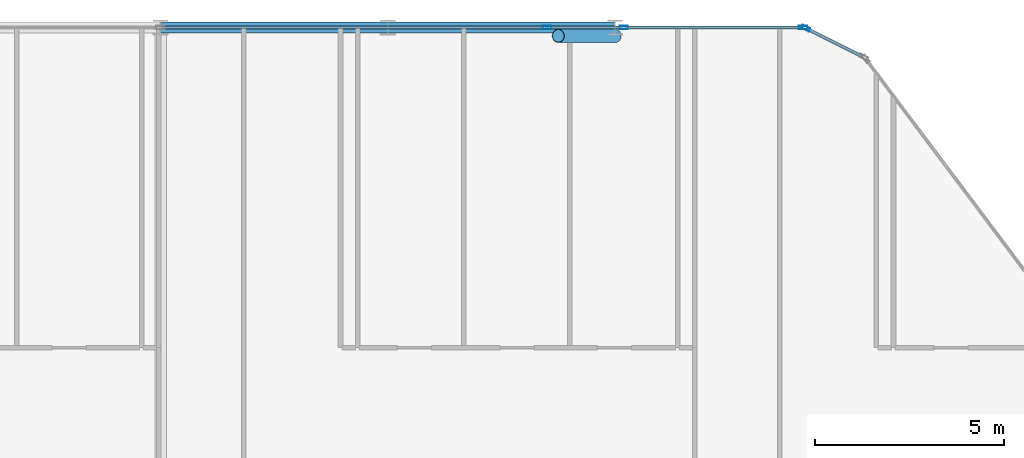
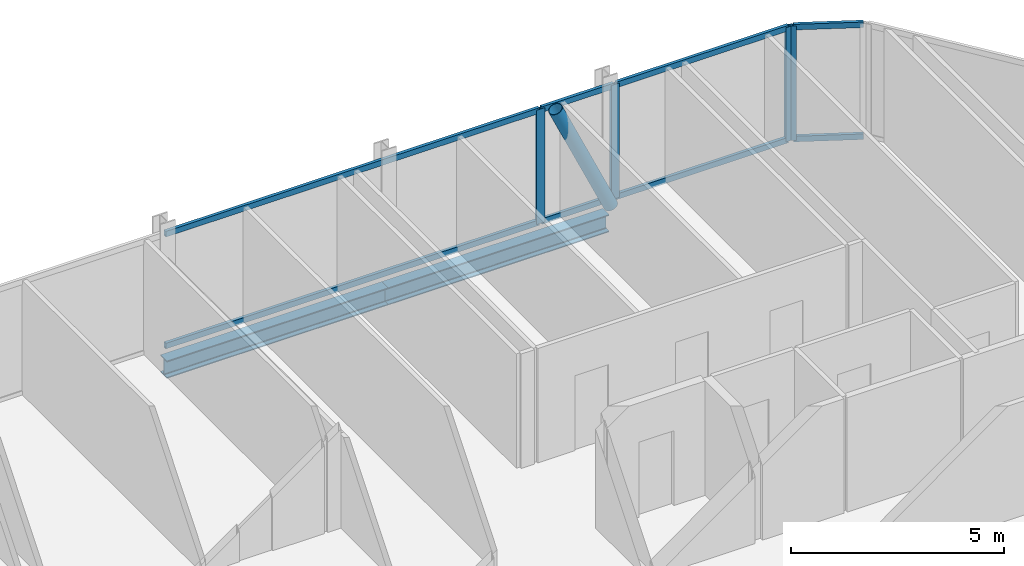
# One storey, part 16 of 33: 13 members, 2 beams, 4 elements without a shape of their own.
"""IFC4 building model written with IfcOpenShell, lengths in metres."""

from ifc_helpers import new_model, si_unit, direction, frame, origin, origin_2d, place, context, subcontext, project, spatial, hollow_rectangle, hollow_circle, i_section, extrude, material, layer, layer_set, material_profile, profile_set, type_object, element, aggregate, save


model = new_model("IFC4")

# Units and contexts
model_context = context("Model", 3, precision=1e-05, world=origin(), true_north=direction((0.0, 1.0)))
body_context = subcontext(model_context, "Body", "Model", "MODEL_VIEW")
ifc_project = project(units=[si_unit("LENGTHUNIT", "METRE"), si_unit("AREAUNIT", "SQUARE_METRE"), si_unit("VOLUMEUNIT", "CUBIC_METRE"), si_unit("PLANEANGLEUNIT", "RADIAN"), si_unit("MASSUNIT", "GRAM", prefix="KILO")], contexts=[model_context])

# Site, building, storey
site_placement = place(None, origin())
site = spatial("IfcSite", under=ifc_project, at=site_placement, CompositionType="ELEMENT")
building_placement = place(site_placement, origin())
building = spatial("IfcBuilding", under=site, at=building_placement, Name="Keshet Zoharim Tower", CompositionType="ELEMENT")
storey_placement = place(building_placement, frame((0.0, 0.0, 57.300048828125)))
storey = spatial("IfcBuildingStorey", under=building, at=storey_placement, Name="L13", CompositionType="ELEMENT", Elevation=57.300048828125)

# Beams
ifc_material_1 = material(Name="Steel S355", Category="steel")
ifc_material_profile_1 = material_profile(ifc_material_1, i_section(OverallWidth=0.300048828125, OverallDepth=0.5, WebThickness=0.014404296875, FlangeThickness=0.028076171875, FilletRadius=0.027099609375, at=origin_2d()), Name="HEB500")
ifc_profile_set_1 = profile_set([ifc_material_profile_1], Name="Steel S355")
beam_type = type_object("IfcBeamType", Name="BM-WEB-HB500", PredefinedType="BEAM", material=ifc_profile_set_1)
for number, where, z_axis, x_axis, name in (
    (1, (33.0, 53.89990234375, -0.56494140625), (1.0, 0.0, 0.0), (0.0, 1.0, 0.0), "L13 Primary Girder X-031"),
    (2, (39.0, 53.89990234375, -0.56494140625), (1.0, 0.0, 0.0), (0.0, 1.0, 0.0), "L13 Primary Girder X-032"),
):
    element("IfcBeam", number, at=place(storey_placement, frame(where, z_axis=z_axis, x_axis=x_axis)), inside=storey, type_object=beam_type, Name=name, PredefinedType="BEAM", context=body_context, shape_type="SweptSolid", body=[
        extrude(i_section(OverallWidth=0.300048828125, OverallDepth=0.5, WebThickness=0.014404296875, FlangeThickness=0.028076171875, FilletRadius=0.027099609375, at=origin_2d()), origin(), (0.0, 0.0, 1.0), 6.0),
    ])

# Curtain wall, member
ifc_material_2 = material(Name="Aluminium 6063-T6", Category="aluminium")
ifc_layer = layer(ifc_material_2, 0.169921875)
ifc_layer_set = layer_set([ifc_layer], Name="Aluminium 6063-T6")
curtain_wall_type = type_object("IfcCurtainWallType", Name="CW-SYS-02", PredefinedType="NOTDEFINED", material=ifc_layer_set)
curtain_wall_1_placement = place(storey_placement, origin())
curtain_wall_1 = element("IfcCurtainWall", 3, at=curtain_wall_1_placement, inside=storey, type_object=curtain_wall_type, Name="L13 Unitised Curtain Wall 07 Part 3", PredefinedType="NOTDEFINED")
ifc_material_profile_2 = material_profile(ifc_material_2, hollow_rectangle(XDim=0.090087890625, YDim=0.219970703125, WallThickness=0.0048828125, at=origin_2d()), Name="MUL-90x220")
ifc_profile_set_2 = profile_set([ifc_material_profile_2], Name="Aluminium 6063-T6")
member_type_1 = type_object("IfcMemberType", Name="CWM-M22", PredefinedType="MULLION", material=ifc_profile_set_2)
member_1_placement = place(storey_placement, frame((43.203369140625, 53.89990234375, 0.0), z_axis=(0.0, 0.0, 1.0), x_axis=(0.0, 1.0, 0.0)))
member_1 = element("IfcMember", 4, at=member_1_placement, type_object=member_type_1, Name="CW-02 mullion 3", PredefinedType="MULLION", context=body_context, shape_type="SweptSolid", body=[
    extrude(hollow_rectangle(XDim=0.090087890625, YDim=0.219970703125, WallThickness=0.0048828125, at=origin_2d()), origin(), (0.0, 0.0, 1.0), 3.280029296875),
])

curtain_wall_2_placement = place(storey_placement, origin())
curtain_wall_2 = element("IfcCurtainWall", 5, at=curtain_wall_2_placement, inside=storey, type_object=curtain_wall_type, Name="L13 Unitised Curtain Wall 07 Part 4", PredefinedType="NOTDEFINED")
member_2_placement = place(storey_placement, frame((45.226806640625, 53.89990234375, 0.0), z_axis=(0.0, 0.0, 1.0), x_axis=(0.0, 1.0, 0.0)))
member_2 = element("IfcMember", 6, at=member_2_placement, type_object=member_type_1, Name="CW-02 mullion 2", PredefinedType="MULLION", context=body_context, shape_type="SweptSolid", body=[
    extrude(hollow_rectangle(XDim=0.090087890625, YDim=0.219970703125, WallThickness=0.0048828125, at=origin_2d()), origin(), (0.0, 0.0, 1.0), 3.280029296875),
])

curtain_wall_3_placement = place(storey_placement, origin())
curtain_wall_3 = element("IfcCurtainWall", 7, at=curtain_wall_3_placement, inside=storey, type_object=curtain_wall_type, Name="L13 Unitised Curtain Wall 07 Part 5", PredefinedType="NOTDEFINED")
member_3_placement = place(storey_placement, frame((49.965087890625, 53.89990234375, 0.0), z_axis=(0.0, 0.0, 1.0), x_axis=(0.0, 1.0, 0.0)))
member_3 = element("IfcMember", 8, at=member_3_placement, type_object=member_type_1, Name="CW-02 mullion 2", PredefinedType="MULLION", context=body_context, shape_type="SweptSolid", body=[
    extrude(hollow_rectangle(XDim=0.090087890625, YDim=0.219970703125, WallThickness=0.0048828125, at=origin_2d()), origin(), (0.0, 0.0, 1.0), 3.280029296875),
])

curtain_wall_4_placement = place(storey_placement, origin())
curtain_wall_4 = element("IfcCurtainWall", 9, at=curtain_wall_4_placement, inside=storey, type_object=curtain_wall_type, Name="L13 Unitised Curtain Wall 08", PredefinedType="NOTDEFINED")
member_4_placement = place(storey_placement, frame((50.03125, 53.88427734375, 0.0), z_axis=(0.0, 0.0, 1.0), x_axis=(0.447213595499, 0.894427191001, 0.0)))
member_4 = element("IfcMember", 10, at=member_4_placement, type_object=member_type_1, Name="CW-02 mullion 1", PredefinedType="MULLION", context=body_context, shape_type="SweptSolid", body=[
    extrude(hollow_rectangle(XDim=0.090087890625, YDim=0.219970703125, WallThickness=0.0048828125, at=origin_2d()), origin(), (0.0, 0.0, 1.0), 3.280029296875),
])

# Member
ifc_material_profile_3 = material_profile(ifc_material_2, hollow_rectangle(XDim=0.0849609375, YDim=0.159912109375, WallThickness=0.00439453125, at=origin_2d()), Name="TRN-85x160")
ifc_profile_set_3 = profile_set([ifc_material_profile_3], Name="Aluminium 6063-T6")
member_type_2 = type_object("IfcMemberType", Name="CWT-T16", PredefinedType="USERDEFINED", material=ifc_profile_set_3)
member_5_placement = place(storey_placement, frame((33.034912109375, 53.89990234375, 0.034912109375), z_axis=(1.0, 0.0, 0.0), x_axis=(0.0, 1.0, 0.0)))
member_5 = element("IfcMember", 11, at=member_5_placement, type_object=member_type_2, Name="CW-02 transom 2.1", ObjectType="TRANSOM", PredefinedType="USERDEFINED", context=body_context, shape_type="SweptSolid", body=[
    extrude(hollow_rectangle(XDim=0.0849609375, YDim=0.159912109375, WallThickness=0.00439453125, at=origin_2d()), origin(), (0.0, 0.0, 1.0), 10.13330078125),
])

member_6_placement = place(storey_placement, frame((33.034912109375, 53.89990234375, 3.244873046875), z_axis=(1.0, 0.0, 0.0), x_axis=(0.0, 1.0, 0.0)))
member_6 = element("IfcMember", 12, at=member_6_placement, type_object=member_type_2, Name="CW-02 transom 2.2", ObjectType="TRANSOM", PredefinedType="USERDEFINED", context=body_context, shape_type="SweptSolid", body=[
    extrude(hollow_rectangle(XDim=0.0849609375, YDim=0.159912109375, WallThickness=0.00439453125, at=origin_2d()), origin(), (0.0, 0.0, 1.0), 10.13330078125),
])

aggregate(curtain_wall_1, [member_1, member_5, member_6])

member_7_placement = place(storey_placement, frame((43.23828125, 53.89990234375, 0.034912109375), z_axis=(1.0, 0.0, 0.0), x_axis=(0.0, 1.0, 0.0)))
member_7 = element("IfcMember", 13, at=member_7_placement, type_object=member_type_2, Name="CW-02 transom 1.1", ObjectType="TRANSOM", PredefinedType="USERDEFINED", context=body_context, shape_type="SweptSolid", body=[
    extrude(hollow_rectangle(XDim=0.0849609375, YDim=0.159912109375, WallThickness=0.00439453125, at=origin_2d()), origin(), (0.0, 0.0, 1.0), 1.953369140625),
])

member_8_placement = place(storey_placement, frame((43.23828125, 53.89990234375, 3.244873046875), z_axis=(1.0, 0.0, 0.0), x_axis=(0.0, 1.0, 0.0)))
member_8 = element("IfcMember", 14, at=member_8_placement, type_object=member_type_2, Name="CW-02 transom 1.2", ObjectType="TRANSOM", PredefinedType="USERDEFINED", context=body_context, shape_type="SweptSolid", body=[
    extrude(hollow_rectangle(XDim=0.0849609375, YDim=0.159912109375, WallThickness=0.00439453125, at=origin_2d()), origin(), (0.0, 0.0, 1.0), 1.953369140625),
])

aggregate(curtain_wall_2, [member_2, member_7, member_8])

member_9_placement = place(storey_placement, frame((45.26171875, 53.89990234375, 0.034912109375), z_axis=(1.0, 0.0, 0.0), x_axis=(0.0, 1.0, 0.0)))
member_9 = element("IfcMember", 15, at=member_9_placement, type_object=member_type_2, Name="CW-02 transom 1.1", ObjectType="TRANSOM", PredefinedType="USERDEFINED", context=body_context, shape_type="SweptSolid", body=[
    extrude(hollow_rectangle(XDim=0.0849609375, YDim=0.159912109375, WallThickness=0.00439453125, at=origin_2d()), origin(), (0.0, 0.0, 1.0), 4.668212890625),
])

member_10_placement = place(storey_placement, frame((45.26171875, 53.89990234375, 3.244873046875), z_axis=(1.0, 0.0, 0.0), x_axis=(0.0, 1.0, 0.0)))
member_10 = element("IfcMember", 16, at=member_10_placement, type_object=member_type_2, Name="CW-02 transom 1.2", ObjectType="TRANSOM", PredefinedType="USERDEFINED", context=body_context, shape_type="SweptSolid", body=[
    extrude(hollow_rectangle(XDim=0.0849609375, YDim=0.159912109375, WallThickness=0.00439453125, at=origin_2d()), origin(), (0.0, 0.0, 1.0), 4.668212890625),
])

aggregate(curtain_wall_3, [member_3, member_9, member_10])

member_11_placement = place(storey_placement, frame((50.0625, 53.86865234375, 0.034912109375), z_axis=(0.894456801911, -0.447154368775, 0.0), x_axis=(0.447154368775, 0.894456801911, 0.0)))
member_11 = element("IfcMember", 17, at=member_11_placement, type_object=member_type_2, Name="CW-02 transom 1.1", ObjectType="TRANSOM", PredefinedType="USERDEFINED", context=body_context, shape_type="SweptSolid", body=[
    extrude(hollow_rectangle(XDim=0.0849609375, YDim=0.159912109375, WallThickness=0.00439453125, at=origin_2d()), origin(), (0.0, 0.0, 1.0), 1.64892578125),
])

member_12_placement = place(storey_placement, frame((50.0625, 53.86865234375, 3.244873046875), z_axis=(0.894456801911, -0.447154368775, 0.0), x_axis=(0.447154368775, 0.894456801911, 0.0)))
member_12 = element("IfcMember", 18, at=member_12_placement, type_object=member_type_2, Name="CW-02 transom 1.2", ObjectType="TRANSOM", PredefinedType="USERDEFINED", context=body_context, shape_type="SweptSolid", body=[
    extrude(hollow_rectangle(XDim=0.0849609375, YDim=0.159912109375, WallThickness=0.00439453125, at=origin_2d()), origin(), (0.0, 0.0, 1.0), 1.64892578125),
])

aggregate(curtain_wall_4, [member_4, member_11, member_12])

ifc_material_profile_4 = material_profile(ifc_material_1, hollow_circle(Radius=0.177734375, WallThickness=0.012451171875, at=origin_2d()), Name="CHS355x12.5")
ifc_profile_set_4 = profile_set([ifc_material_profile_4], Name="Steel S355")
member_type_3 = type_object("IfcMemberType", Name="MB-BR-C355", PredefinedType="BRACE", material=ifc_profile_set_4)
member_13_placement = place(storey_placement, frame((45.0, 53.679931640625, 0.0), z_axis=(-0.415887731958, 0.0, 0.909415963356), x_axis=(0.0, -1.0, 0.0)))
element("IfcMember", 19, at=member_13_placement, inside=storey, type_object=member_type_3, Name="L13 Perimeter Tube Brace 04", PredefinedType="BRACE", context=body_context, shape_type="SweptSolid", body=[
    extrude(hollow_circle(Radius=0.177734375, WallThickness=0.012451171875, at=origin_2d()), origin(), (0.0, 0.0, 1.0), 3.606689453125),
])

save(model, "model.ifc")
